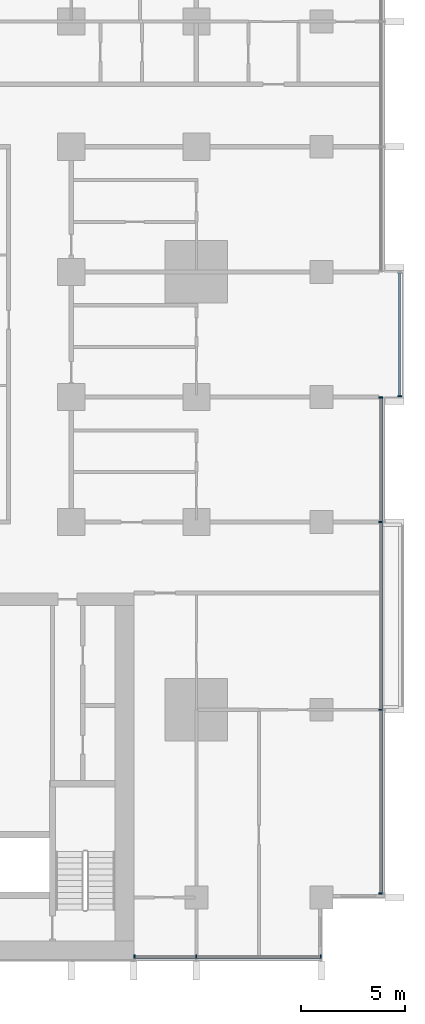
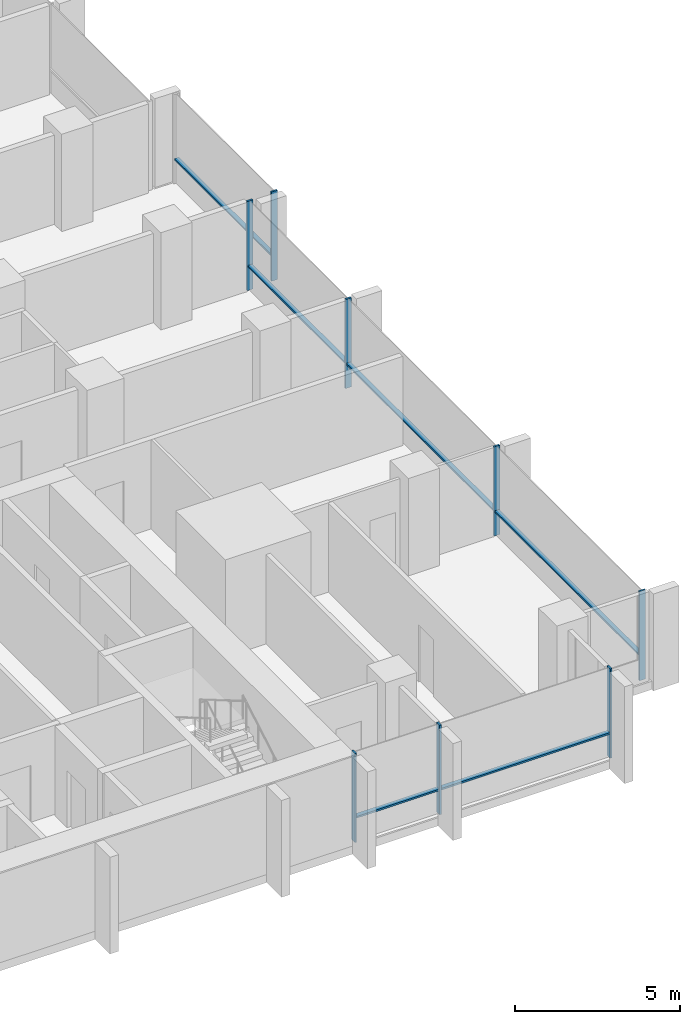
# One storey, part 3 of 18: 14 members, 3 elements without a shape of their own.
"""IFC4 building model written with IfcOpenShell, lengths in metres."""

from ifc_helpers import new_model, si_unit, direction, frame, origin, origin_2d, place, context, subcontext, project, spatial, rectangle, extrude, material, material_profile, profile_set, type_object, element, aggregate, save


model = new_model("IFC4")

# Units and contexts
model_context = context("Model", 3, precision=1e-05, world=origin(), true_north=direction((0.0, 1.0)))
body_context = subcontext(model_context, "Body", "Model", "MODEL_VIEW")
ifc_project = project(units=[si_unit("LENGTHUNIT", "METRE"), si_unit("AREAUNIT", "SQUARE_METRE"), si_unit("VOLUMEUNIT", "CUBIC_METRE"), si_unit("PLANEANGLEUNIT", "RADIAN"), si_unit("MASSUNIT", "GRAM", prefix="KILO")], contexts=[model_context])

# Site, building, storey
site_placement = place(None, origin())
site = spatial("IfcSite", under=ifc_project, at=site_placement, CompositionType="ELEMENT")
building_placement = place(site_placement, origin())
building = spatial("IfcBuilding", under=site, at=building_placement, Name="Finial Court Residences", CompositionType="ELEMENT")
storey_placement = place(building_placement, frame((0.0, 0.0, 50.5)))
storey = spatial("IfcBuildingStorey", under=building, at=storey_placement, Name="L11", CompositionType="ELEMENT", Elevation=50.5)

# Curtain wall, members
ifc_material = material(Name="Bronze anodised aluminium", Category="aluminium")
curtain_wall_type = type_object("IfcCurtainWallType", Name="Unitised curtain wall, lower and middle zones", PredefinedType="NOTDEFINED", material=ifc_material)
curtain_wall_1_placement = place(storey_placement, origin())
curtain_wall_1 = element("IfcCurtainWall", 1, at=curtain_wall_1_placement, inside=storey, type_object=curtain_wall_type, Name="E-L11-CW-E4", PredefinedType="NOTDEFINED")
ifc_material_profile_1 = material_profile(ifc_material, rectangle(XDim=0.199951171875, YDim=0.06494140625, at=origin_2d()), Name="CW1 mullion 65 x 200")
ifc_profile_set_1 = profile_set([ifc_material_profile_1], Name="Bronze anodised aluminium")
member_type_1 = type_object("IfcMemberType", Name="CW1 mullion 65 x 200", PredefinedType="MULLION", material=ifc_profile_set_1)
member_1_placement = place(storey_placement, frame((25.35009765625, -22.3173828125, 0.0), z_axis=(0.0, 0.0, 1.0), x_axis=(-1.0, 0.0, 0.0)))
member_1 = element("IfcMember", 2, at=member_1_placement, type_object=member_type_1, Name="CW1 mullion 1", PredefinedType="MULLION", context=body_context, shape_type="SweptSolid", body=[
    extrude(rectangle(XDim=0.199951171875, YDim=0.06494140625, at=origin_2d()), origin(), (0.0, 0.0, 1.0), 3.300048828125),
])
member_2_placement = place(storey_placement, frame((25.35009765625, -13.5, 0.0), z_axis=(0.0, 0.0, 1.0), x_axis=(-1.0, 0.0, 0.0)))
member_2 = element("IfcMember", 3, at=member_2_placement, type_object=member_type_1, Name="CW1 mullion 2", PredefinedType="MULLION", context=body_context, shape_type="SweptSolid", body=[
    extrude(rectangle(XDim=0.199951171875, YDim=0.06494140625, at=origin_2d()), origin(), (0.0, 0.0, 1.0), 3.300048828125),
])
member_3_placement = place(storey_placement, frame((25.35009765625, -4.5, 0.0), z_axis=(0.0, 0.0, 1.0), x_axis=(-1.0, 0.0, 0.0)))
member_3 = element("IfcMember", 4, at=member_3_placement, type_object=member_type_1, Name="CW1 mullion 3", PredefinedType="MULLION", context=body_context, shape_type="SweptSolid", body=[
    extrude(rectangle(XDim=0.199951171875, YDim=0.06494140625, at=origin_2d()), origin(), (0.0, 0.0, 1.0), 3.300048828125),
])
member_4_placement = place(storey_placement, frame((25.35009765625, 1.467529296875, 0.0), z_axis=(0.0, 0.0, 1.0), x_axis=(-1.0, 0.0, 0.0)))
member_4 = element("IfcMember", 5, at=member_4_placement, type_object=member_type_1, Name="CW1 mullion 4", PredefinedType="MULLION", context=body_context, shape_type="SweptSolid", body=[
    extrude(rectangle(XDim=0.199951171875, YDim=0.06494140625, at=origin_2d()), origin(), (0.0, 0.0, 1.0), 3.300048828125),
])

# Curtain wall, member
curtain_wall_2_placement = place(storey_placement, origin())
curtain_wall_2 = element("IfcCurtainWall", 6, at=curtain_wall_2_placement, inside=storey, type_object=curtain_wall_type, Name="E-L11-CW-E5", PredefinedType="NOTDEFINED")
member_5_placement = place(storey_placement, frame((26.25, 1.532470703125, 0.0), z_axis=(0.0, 0.0, 1.0), x_axis=(-1.0, 0.0, 0.0)))
member_5 = element("IfcMember", 7, at=member_5_placement, type_object=member_type_1, Name="CW1 mullion 1", PredefinedType="MULLION", context=body_context, shape_type="SweptSolid", body=[
    extrude(rectangle(XDim=0.199951171875, YDim=0.06494140625, at=origin_2d()), origin(), (0.0, 0.0, 1.0), 3.300048828125),
])

# Curtain wall, members
curtain_wall_3_placement = place(storey_placement, origin())
curtain_wall_3 = element("IfcCurtainWall", 8, at=curtain_wall_3_placement, inside=storey, type_object=curtain_wall_type, Name="E-L11-CW-S8", PredefinedType="NOTDEFINED")
member_6_placement = place(storey_placement, frame((13.532470703125, -25.35009765625, 0.0), z_axis=(0.0, 0.0, 1.0), x_axis=(0.0, 1.0, 0.0)))
member_6 = element("IfcMember", 9, at=member_6_placement, type_object=member_type_1, Name="CW1 mullion 1", PredefinedType="MULLION", context=body_context, shape_type="SweptSolid", body=[
    extrude(rectangle(XDim=0.199951171875, YDim=0.06494140625, at=origin_2d()), origin(), (0.0, 0.0, 1.0), 3.300048828125),
])
member_7_placement = place(storey_placement, frame((16.5, -25.35009765625, 0.0), z_axis=(0.0, 0.0, 1.0), x_axis=(0.0, 1.0, 0.0)))
member_7 = element("IfcMember", 10, at=member_7_placement, type_object=member_type_1, Name="CW1 mullion 2", PredefinedType="MULLION", context=body_context, shape_type="SweptSolid", body=[
    extrude(rectangle(XDim=0.199951171875, YDim=0.06494140625, at=origin_2d()), origin(), (0.0, 0.0, 1.0), 3.300048828125),
])
member_8_placement = place(storey_placement, frame((22.467529296875, -25.35009765625, 0.0), z_axis=(0.0, 0.0, 1.0), x_axis=(0.0, 1.0, 0.0)))
member_8 = element("IfcMember", 11, at=member_8_placement, type_object=member_type_1, Name="CW1 mullion 3", PredefinedType="MULLION", context=body_context, shape_type="SweptSolid", body=[
    extrude(rectangle(XDim=0.199951171875, YDim=0.06494140625, at=origin_2d()), origin(), (0.0, 0.0, 1.0), 3.300048828125),
])

# Member
ifc_material_profile_2 = material_profile(ifc_material, rectangle(XDim=0.14990234375, YDim=0.06494140625, at=origin_2d()), Name="CW1 transom 65 x 150")
ifc_profile_set_2 = profile_set([ifc_material_profile_2], Name="Bronze anodised aluminium")
member_type_2 = type_object("IfcMemberType", Name="CW1 transom 65 x 150", PredefinedType="USERDEFINED", material=ifc_profile_set_2)
member_9_placement = place(storey_placement, frame((25.35009765625, -22.284912109375, 0.89990234375), z_axis=(0.0, 1.0, 0.0), x_axis=(-1.0, 0.0, 0.0)))
member_9 = element("IfcMember", 12, at=member_9_placement, type_object=member_type_2, Name="CW1 transom 1.1", ObjectType="TRANSOM", PredefinedType="USERDEFINED", context=body_context, shape_type="SweptSolid", body=[
    extrude(rectangle(XDim=0.14990234375, YDim=0.06494140625, at=origin_2d()), origin(), (0.0, 0.0, 1.0), 8.75244140625),
])

member_10_placement = place(storey_placement, frame((25.35009765625, -13.467529296875, 0.89990234375), z_axis=(0.0, 1.0, 0.0), x_axis=(-1.0, 0.0, 0.0)))
member_10 = element("IfcMember", 13, at=member_10_placement, type_object=member_type_2, Name="CW1 transom 2.1", ObjectType="TRANSOM", PredefinedType="USERDEFINED", context=body_context, shape_type="SweptSolid", body=[
    extrude(rectangle(XDim=0.14990234375, YDim=0.06494140625, at=origin_2d()), origin(), (0.0, 0.0, 1.0), 8.93505859375),
])

member_11_placement = place(storey_placement, frame((25.35009765625, -4.467529296875, 0.89990234375), z_axis=(0.0, 1.0, 0.0), x_axis=(-1.0, 0.0, 0.0)))
member_11 = element("IfcMember", 14, at=member_11_placement, type_object=member_type_2, Name="CW1 transom 3.1", ObjectType="TRANSOM", PredefinedType="USERDEFINED", context=body_context, shape_type="SweptSolid", body=[
    extrude(rectangle(XDim=0.14990234375, YDim=0.06494140625, at=origin_2d()), origin(), (0.0, 0.0, 1.0), 5.902587890625),
])

aggregate(curtain_wall_1, [member_1, member_2, member_3, member_4, member_9, member_10, member_11])

member_12_placement = place(storey_placement, frame((26.25, 1.56494140625, 0.89990234375), z_axis=(0.0, 1.0, 0.0), x_axis=(-1.0, 0.0, 0.0)))
member_12 = element("IfcMember", 15, at=member_12_placement, type_object=member_type_2, Name="CW1 transom 1.1", ObjectType="TRANSOM", PredefinedType="USERDEFINED", context=body_context, shape_type="SweptSolid", body=[
    extrude(rectangle(XDim=0.14990234375, YDim=0.06494140625, at=origin_2d()), origin(), (0.0, 0.0, 1.0), 5.8701171875),
])

aggregate(curtain_wall_2, [member_5, member_12])

member_13_placement = place(storey_placement, frame((13.56494140625, -25.35009765625, 0.89990234375), z_axis=(1.0, 0.0, 0.0), x_axis=(0.0, 1.0, 0.0)))
member_13 = element("IfcMember", 16, at=member_13_placement, type_object=member_type_2, Name="CW1 transom 1.1", ObjectType="TRANSOM", PredefinedType="USERDEFINED", context=body_context, shape_type="SweptSolid", body=[
    extrude(rectangle(XDim=0.14990234375, YDim=0.06494140625, at=origin_2d()), origin(), (0.0, 0.0, 1.0), 2.902587890625),
])

member_14_placement = place(storey_placement, frame((16.532470703125, -25.35009765625, 0.89990234375), z_axis=(1.0, 0.0, 0.0), x_axis=(0.0, 1.0, 0.0)))
member_14 = element("IfcMember", 17, at=member_14_placement, type_object=member_type_2, Name="CW1 transom 2.1", ObjectType="TRANSOM", PredefinedType="USERDEFINED", context=body_context, shape_type="SweptSolid", body=[
    extrude(rectangle(XDim=0.14990234375, YDim=0.06494140625, at=origin_2d()), origin(), (0.0, 0.0, 1.0), 5.902587890625),
])

aggregate(curtain_wall_3, [member_6, member_7, member_8, member_13, member_14])

save(model, "model.ifc")
